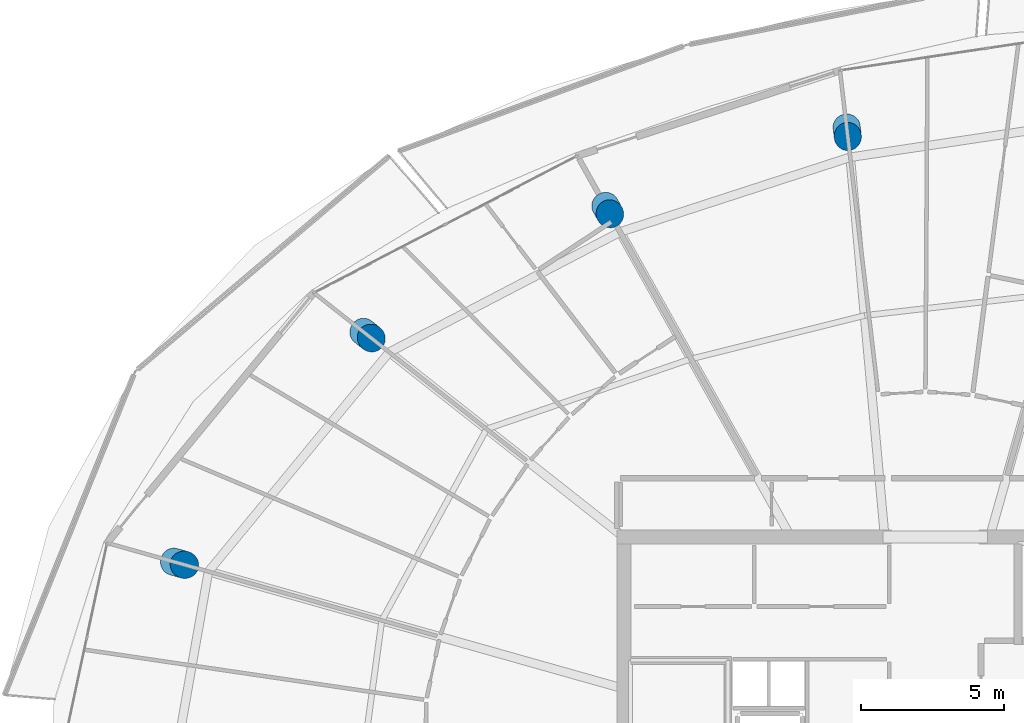
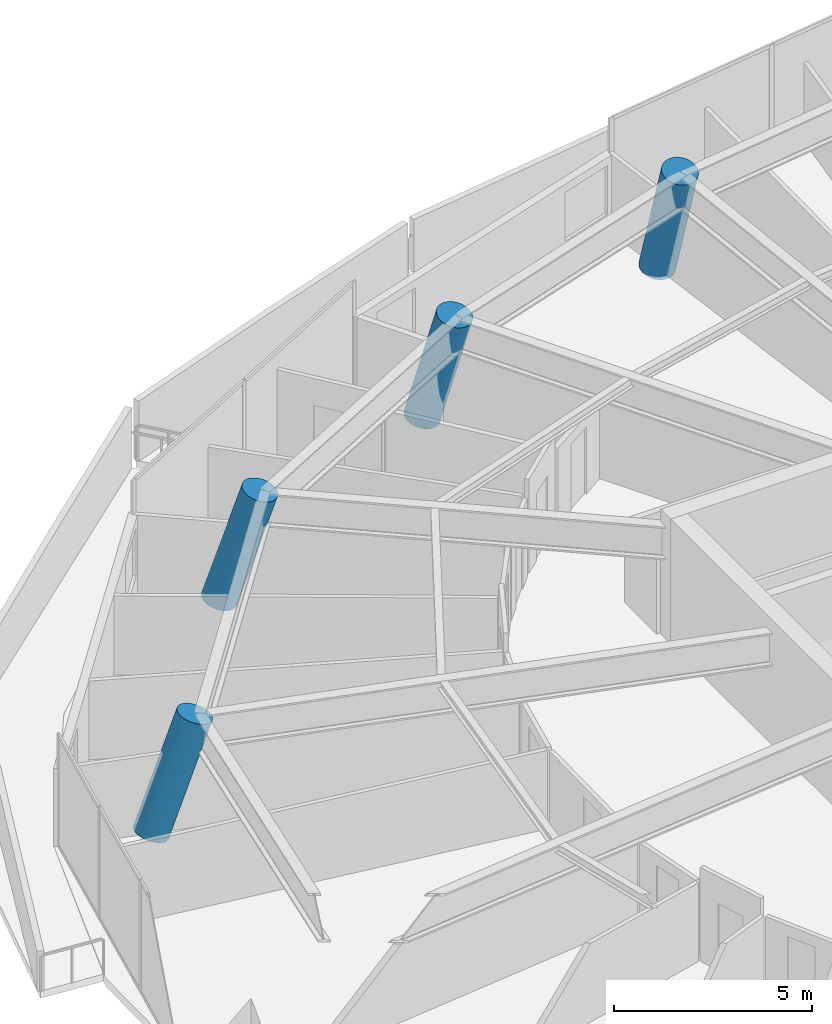
# One storey, part 4 of 30: 4 columns.
"""IFC4 building model written with IfcOpenShell, lengths in metres."""

from ifc_helpers import new_model, si_unit, direction, frame, origin, origin_2d, place, context, subcontext, project, spatial, circle, extrude, material, material_profile, profile_set, type_object, element, save


model = new_model("IFC4")

# Units and contexts
model_context = context("Model", 3, precision=1e-05, world=origin(), true_north=direction((0.0, 1.0)))
body_context = subcontext(model_context, "Body", "Model", "MODEL_VIEW")
ifc_project = project(units=[si_unit("LENGTHUNIT", "METRE"), si_unit("AREAUNIT", "SQUARE_METRE"), si_unit("VOLUMEUNIT", "CUBIC_METRE"), si_unit("PLANEANGLEUNIT", "RADIAN"), si_unit("MASSUNIT", "GRAM", prefix="KILO")], contexts=[model_context])

# Site, building, storey
site_placement = place(None, origin())
site = spatial("IfcSite", under=ifc_project, at=site_placement, CompositionType="ELEMENT")
building_placement = place(site_placement, origin())
building = spatial("IfcBuilding", under=site, at=building_placement, Name="Kazma Halo Residences", CompositionType="ELEMENT")
storey_placement = place(building_placement, frame((0.0, 0.0, 302.14990234375)))
storey = spatial("IfcBuildingStorey", under=building, at=storey_placement, Name="L76", CompositionType="ELEMENT", Elevation=302.14990234375)

# Columns
ifc_material = material(Name="Concrete C60/75", Category="concrete")
ifc_material_profile = material_profile(ifc_material, circle(Radius=0.47509765625, at=origin_2d()), Name="CIRC950")
ifc_profile_set = profile_set([ifc_material_profile], Name="Concrete C60/75")
column_type = type_object("IfcColumnType", Name="COL-PERIM-950", PredefinedType="COLUMN", material=ifc_profile_set)
for number, where, z_axis, x_axis, name in (
    (1, (45.32861328125, 64.57080078125, 0.0), (0.031178379012, -0.263549405081, 0.964141908519), (0.993074942207, 0.117482590885, 0.0), "L76 perimeter ring column P04"),
    (2, (36.89453125, 61.830322265625, 0.0), (0.129626364371, -0.231553621409, 0.964147253314), (0.872576151901, 0.488478105071, 0.0), "L76 perimeter ring column P05"),
):
    element("IfcColumn", number, at=place(storey_placement, frame(where, z_axis=z_axis, x_axis=x_axis)), inside=storey, type_object=column_type, Name=name, PredefinedType="COLUMN", context=body_context, shape_type="SweptSolid", body=[
        extrude(circle(Radius=0.47509765625, at=origin_2d()), origin(), (0.0, 0.0, 1.0), 3.57861328125),
    ])
column_1_placement = place(storey_placement, frame((28.433837890625, 57.4248046875, 0.0), z_axis=(0.226872805026, -0.178910444334, 0.95735039732), x_axis=(0.619218481875, 0.78521874131, 0.0)))
element("IfcColumn", 3, at=column_1_placement, inside=storey, type_object=column_type, Name="L76 perimeter ring column P06", PredefinedType="COLUMN", context=body_context, shape_type="SweptSolid", body=[
    extrude(circle(Radius=0.47509765625, at=origin_2d()), origin(), (0.0, 0.0, 1.0), 3.60400390625),
])
column_2_placement = place(storey_placement, frame((21.80908203125, 49.38671875, 0.0), z_axis=(0.301218130551, -0.085015826673, 0.949757835999), x_axis=(0.271628463208, 0.962402191381, 0.0)))
element("IfcColumn", 4, at=column_2_placement, inside=storey, type_object=column_type, Name="L76 perimeter ring column P07", PredefinedType="COLUMN", context=body_context, shape_type="SweptSolid", body=[
    extrude(circle(Radius=0.47509765625, at=origin_2d()), origin(), (0.0, 0.0, 1.0), 3.6328125),
])

save(model, "model.ifc")
